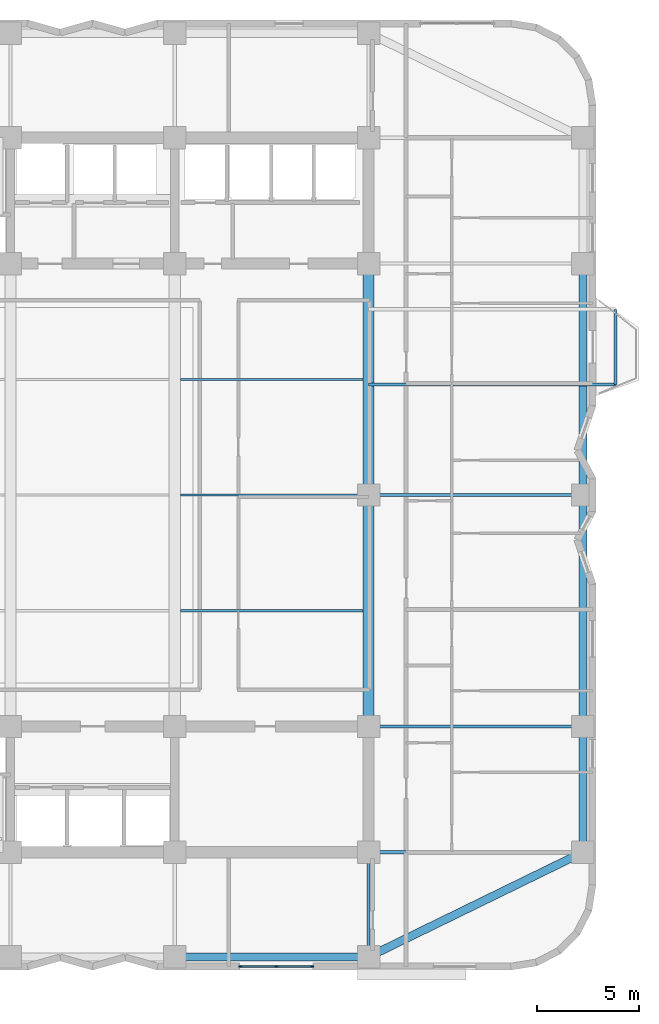
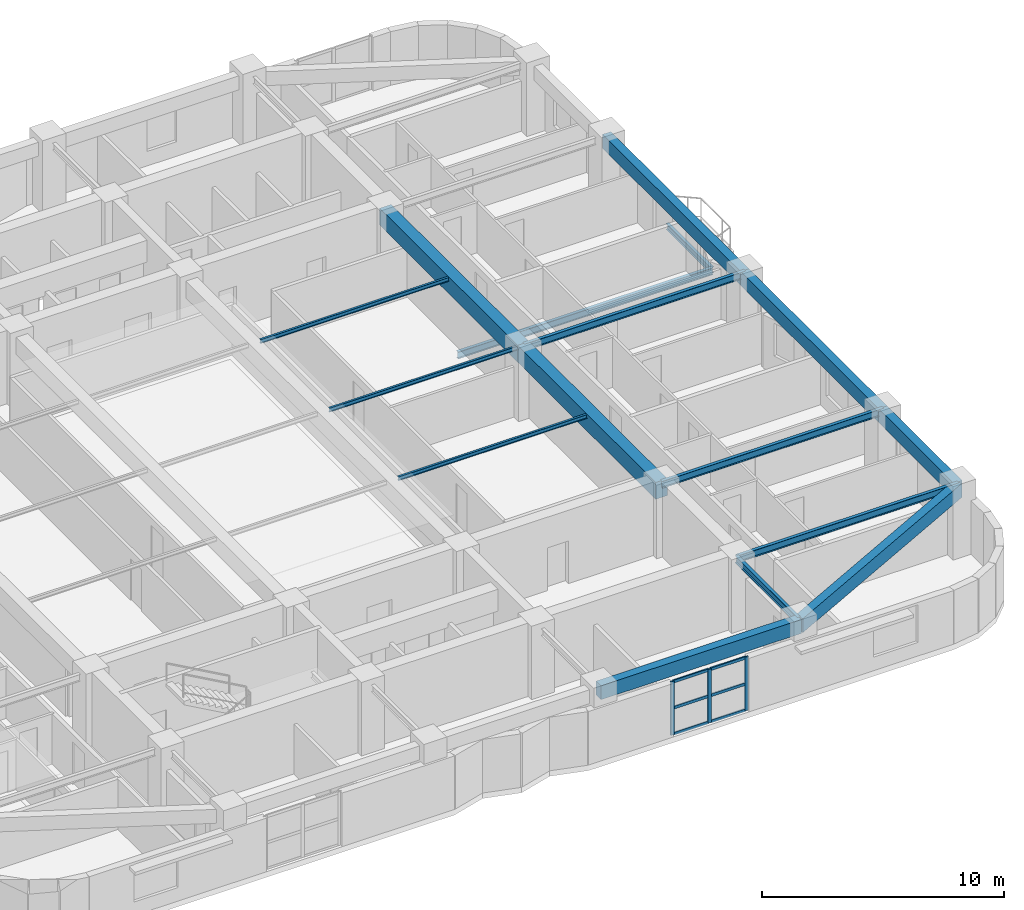
# One storey, part 4 of 15: 16 beams, 9 members, 1 element without a shape of its own.
"""IFC4 building model written with IfcOpenShell, lengths in metres."""

from ifc_helpers import new_model, si_unit, direction, frame, origin, origin_2d, place, context, subcontext, project, spatial, rectangle, i_section, extrude, material, material_profile, profile_set, type_object, element, aggregate, save


model = new_model("IFC4")

# Units and contexts
model_context = context("Model", 3, precision=1e-05, world=origin(), true_north=direction((0.0, 1.0)))
body_context = subcontext(model_context, "Body", "Model", "MODEL_VIEW")
ifc_project = project(units=[si_unit("LENGTHUNIT", "METRE"), si_unit("AREAUNIT", "SQUARE_METRE"), si_unit("VOLUMEUNIT", "CUBIC_METRE"), si_unit("PLANEANGLEUNIT", "RADIAN"), si_unit("MASSUNIT", "GRAM", prefix="KILO")], contexts=[model_context])

# Site, building, storey
site_placement = place(None, origin())
site = spatial("IfcSite", under=ifc_project, at=site_placement, CompositionType="ELEMENT")
building_placement = place(site_placement, origin())
building = spatial("IfcBuilding", under=site, at=building_placement, Name="Svetorya Sky Lyceum", CompositionType="ELEMENT")
storey_placement = place(building_placement, frame((0.0, 0.0, 117.89990234375)))
storey = spatial("IfcBuildingStorey", under=building, at=storey_placement, Name="L29", CompositionType="ELEMENT", Elevation=117.89990234375)

# Beams
ifc_material_1 = material(Name="Concrete C50/60", Category="concrete")
ifc_material_profile_1 = material_profile(ifc_material_1, rectangle(XDim=0.550048828125, YDim=0.85009765625, at=origin_2d()), Name="RC BEAM 550x850")
ifc_profile_set_1 = profile_set([ifc_material_profile_1], Name="Concrete C50/60")
beam_type_1 = type_object("IfcBeamType", Name="BM-RC-850", PredefinedType="BEAM", material=ifc_profile_set_1)
beam_1_placement = place(storey_placement, frame((52.800048828125, 16.800048828125, 2.9951171875), z_axis=(0.0, 1.0, 0.0), x_axis=(-1.0, 0.0, 0.0)))
element("IfcBeam", 1, at=beam_1_placement, inside=storey, type_object=beam_type_1, Name="L29 Central Bay Primary Girder CG-4A", PredefinedType="BEAM", context=body_context, shape_type="SweptSolid", body=[
    extrude(rectangle(XDim=0.550048828125, YDim=0.85009765625, at=origin_2d()), origin(), (0.0, 0.0, 1.0), 11.39990234375),
])
beam_2_placement = place(storey_placement, frame((52.800048828125, 28.199951171875, 2.9951171875), z_axis=(0.0, 1.0, 0.0), x_axis=(-1.0, 0.0, 0.0)))
element("IfcBeam", 2, at=beam_2_placement, inside=storey, type_object=beam_type_1, Name="L29 Central Bay Primary Girder CG-4B", PredefinedType="BEAM", context=body_context, shape_type="SweptSolid", body=[
    extrude(rectangle(XDim=0.550048828125, YDim=0.85009765625, at=origin_2d()), origin(), (0.0, 0.0, 1.0), 11.400146484375),
])
ifc_material_profile_2 = material_profile(ifc_material_1, rectangle(XDim=0.39990234375, YDim=0.699951171875, at=origin_2d()), Name="RC SPANDREL 400x700")
ifc_profile_set_2 = profile_set([ifc_material_profile_2], Name="Concrete C50/60")
beam_type_2 = type_object("IfcBeamType", Name="BM-SPN-700", PredefinedType="SPANDREL", material=ifc_profile_set_2)
beam_3_placement = place(storey_placement, frame((43.25, 5.449951171875, 3.070068359375), z_axis=(1.0, 0.0, 0.0), x_axis=(0.0, 1.0, 0.0)))
element("IfcBeam", 3, at=beam_3_placement, inside=storey, type_object=beam_type_2, Name="L29 South Spandrel 3", PredefinedType="SPANDREL", context=body_context, shape_type="SweptSolid", body=[
    extrude(rectangle(XDim=0.39990234375, YDim=0.699951171875, at=origin_2d()), origin(), (0.0, 0.0, 1.0), 9.550048828125),
])
beam_4_placement = place(storey_placement, frame((52.800048828125, 5.449951171875, 3.070068359375), z_axis=(0.898641495694, 0.438683783854, 0.0), x_axis=(-0.438683783854, 0.898641495694, 0.0)))
element("IfcBeam", 4, at=beam_4_placement, inside=storey, type_object=beam_type_2, Name="L29 Corner Spandrel 2", PredefinedType="SPANDREL", context=body_context, shape_type="SweptSolid", body=[
    extrude(rectangle(XDim=0.39990234375, YDim=0.699951171875, at=origin_2d()), origin(), (0.0, 0.0, 1.0), 11.739990234375),
])
beam_5_placement = place(storey_placement, frame((63.35009765625, 10.60009765625, 3.070068359375), z_axis=(0.0, 1.0, 0.0), x_axis=(-1.0, 0.0, 0.0)))
element("IfcBeam", 5, at=beam_5_placement, inside=storey, type_object=beam_type_2, Name="L29 East Spandrel 1", PredefinedType="SPANDREL", context=body_context, shape_type="SweptSolid", body=[
    extrude(rectangle(XDim=0.39990234375, YDim=0.699951171875, at=origin_2d()), origin(), (0.0, 0.0, 1.0), 6.199951171875),
])
beam_6_placement = place(storey_placement, frame((63.35009765625, 16.800048828125, 3.070068359375), z_axis=(0.0, 1.0, 0.0), x_axis=(-1.0, 0.0, 0.0)))
element("IfcBeam", 6, at=beam_6_placement, inside=storey, type_object=beam_type_2, Name="L29 East Spandrel 2", PredefinedType="SPANDREL", context=body_context, shape_type="SweptSolid", body=[
    extrude(rectangle(XDim=0.39990234375, YDim=0.699951171875, at=origin_2d()), origin(), (0.0, 0.0, 1.0), 11.39990234375),
])
beam_7_placement = place(storey_placement, frame((63.35009765625, 28.199951171875, 3.070068359375), z_axis=(0.0, 1.0, 0.0), x_axis=(-1.0, 0.0, 0.0)))
element("IfcBeam", 7, at=beam_7_placement, inside=storey, type_object=beam_type_2, Name="L29 East Spandrel 3", PredefinedType="SPANDREL", context=body_context, shape_type="SweptSolid", body=[
    extrude(rectangle(XDim=0.39990234375, YDim=0.699951171875, at=origin_2d()), origin(), (0.0, 0.0, 1.0), 11.400146484375),
])
ifc_material_2 = material(Name="Steel S355", Category="steel")
ifc_material_profile_3 = material_profile(ifc_material_2, i_section(OverallWidth=0.10009765625, OverallDepth=0.199951171875, WebThickness=0.005615234375, FlangeThickness=0.008544921875, at=origin_2d()), Name="GOST 20B1")
ifc_profile_set_3 = profile_set([ifc_material_profile_3], Name="Steel S355")
beam_type_3 = type_object("IfcBeamType", Name="BM-STL-20B1", PredefinedType="JOIST", material=ifc_profile_set_3)
for number, where, z_axis, x_axis, name in (
    (8, (43.52490234375, 22.5, 3.320068359375), (1.0, 0.0, 0.0), (0.0, 1.0, 0.0), "L29 Central Floor Joist CJ-1.3"),
    (9, (43.52490234375, 28.199951171875, 3.320068359375), (1.0, 0.0, 0.0), (0.0, 1.0, 0.0), "L29 Central Floor Joist CJ-2.3"),
    (10, (43.52490234375, 33.89990234375, 3.320068359375), (1.0, 0.0, 0.0), (0.0, 1.0, 0.0), "L29 Central Floor Joist CJ-3.3"),
):
    element("IfcBeam", number, at=place(storey_placement, frame(where, z_axis=z_axis, x_axis=x_axis)), inside=storey, type_object=beam_type_3, Name=name, PredefinedType="JOIST", context=body_context, shape_type="SweptSolid", body=[
        extrude(i_section(OverallWidth=0.10009765625, OverallDepth=0.199951171875, WebThickness=0.005615234375, FlangeThickness=0.008544921875, at=origin_2d()), origin(), (0.0, 0.0, 1.0), 9.0),
    ])
ifc_material_profile_4 = material_profile(ifc_material_2, i_section(OverallWidth=0.14990234375, OverallDepth=0.299072265625, WebThickness=0.006591796875, FlangeThickness=0.010498046875, at=origin_2d()), Name="GOST 30B2")
ifc_profile_set_4 = profile_set([ifc_material_profile_4], Name="Steel S355")
beam_type_4 = type_object("IfcBeamType", Name="BM-STL-30B2", PredefinedType="JOIST", material=ifc_profile_set_4)
beam_8_placement = place(storey_placement, frame((64.949951171875, 33.64990234375, -0.454345703125), z_axis=(0.0, 1.0, 0.0), x_axis=(-1.0, 0.0, 0.0)))
element("IfcBeam", 11, at=beam_8_placement, inside=storey, type_object=beam_type_4, Name="L29 Balcony Edge Tie BAL-E1", PredefinedType="JOIST", context=body_context, shape_type="SweptSolid", body=[
    extrude(i_section(OverallWidth=0.14990234375, OverallDepth=0.299072265625, WebThickness=0.006591796875, FlangeThickness=0.010498046875, at=origin_2d()), origin(), (0.0, 0.0, 1.0), 3.7001953125),
])
ifc_material_profile_5 = material_profile(ifc_material_2, i_section(OverallWidth=0.155029296875, OverallDepth=0.34912109375, WebThickness=0.007080078125, FlangeThickness=0.011474609375, at=origin_2d()), Name="GOST 35B2")
ifc_profile_set_5 = profile_set([ifc_material_profile_5], Name="Steel S355")
beam_type_5 = type_object("IfcBeamType", Name="BM-STL-35B2", PredefinedType="JOIST", material=ifc_profile_set_5)
beam_9_placement = place(storey_placement, frame((52.800048828125, 33.64990234375, -0.454345703125), z_axis=(1.0, 0.0, 0.0), x_axis=(0.0, 1.0, 0.0)))
element("IfcBeam", 12, at=beam_9_placement, inside=storey, type_object=beam_type_5, Name="L29 Balcony Cantilever Beam BAL-E1-1", PredefinedType="JOIST", context=body_context, shape_type="SweptSolid", body=[
    extrude(i_section(OverallWidth=0.155029296875, OverallDepth=0.34912109375, WebThickness=0.007080078125, FlangeThickness=0.011474609375, at=origin_2d()), origin(), (0.0, 0.0, 1.0), 12.14990234375),
])
for number, where, z_axis, x_axis, name in (
    (13, (52.800048828125, 10.60009765625, 3.24560546875), (1.0, 0.0, 0.0), (0.0, 1.0, 0.0), "L29 East Wing Floor Joist E1"),
    (14, (52.800048828125, 16.800048828125, 3.24560546875), (1.0, 0.0, 0.0), (0.0, 1.0, 0.0), "L29 East Wing Floor Joist E2"),
    (15, (52.800048828125, 28.199951171875, 3.24560546875), (1.0, 0.0, 0.0), (0.0, 1.0, 0.0), "L29 East Wing Floor Joist E3"),
):
    element("IfcBeam", number, at=place(storey_placement, frame(where, z_axis=z_axis, x_axis=x_axis)), inside=storey, type_object=beam_type_5, Name=name, PredefinedType="JOIST", context=body_context, shape_type="SweptSolid", body=[
        extrude(i_section(OverallWidth=0.155029296875, OverallDepth=0.34912109375, WebThickness=0.007080078125, FlangeThickness=0.011474609375, at=origin_2d()), origin(), (0.0, 0.0, 1.0), 10.550048828125),
    ])
beam_10_placement = place(storey_placement, frame((52.800048828125, 5.449951171875, 3.24560546875), z_axis=(0.0, 1.0, 0.0), x_axis=(-1.0, 0.0, 0.0)))
element("IfcBeam", 16, at=beam_10_placement, inside=storey, type_object=beam_type_5, Name="L29 South Bay Floor Girder S4", PredefinedType="JOIST", context=body_context, shape_type="SweptSolid", body=[
    extrude(i_section(OverallWidth=0.155029296875, OverallDepth=0.34912109375, WebThickness=0.007080078125, FlangeThickness=0.011474609375, at=origin_2d()), origin(), (0.0, 0.0, 1.0), 5.150146484375),
])

# Curtain wall, members
ifc_material_3 = material(Name="Thermally broken anodized aluminium and triple low-E glass", Category="aluminium")
curtain_wall_type = type_object("IfcCurtainWallType", Name="CW3-LOG-RES", PredefinedType="NOTDEFINED", material=ifc_material_3)
curtain_wall_placement = place(storey_placement, origin())
curtain_wall = element("IfcCurtainWall", 17, at=curtain_wall_placement, inside=storey, type_object=curtain_wall_type, Name="L29 Recessed Loggia Curtain Wall 11", PredefinedType="NOTDEFINED")
ifc_material_4 = material(Name="Thermally broken anodized aluminium EN AW-6060", Category="aluminium")
ifc_material_profile_6 = material_profile(ifc_material_4, rectangle(XDim=0.06494140625, YDim=0.179931640625, at=origin_2d()), Name="ALU MULLION 65x180")
ifc_profile_set_6 = profile_set([ifc_material_profile_6], Name="Thermally broken anodized aluminium EN AW-6060")
member_type_1 = type_object("IfcMemberType", Name="CWM-MUL-180", PredefinedType="MULLION", material=ifc_profile_set_6)
member_1_placement = place(storey_placement, frame((46.482421875, 4.969970703125, 0.0), z_axis=(0.0, 0.0, 1.0), x_axis=(0.0, 1.0, 0.0)))
member_1 = element("IfcMember", 18, at=member_1_placement, type_object=member_type_1, Name="CW-3 mullion 1", PredefinedType="MULLION", context=body_context, shape_type="SweptSolid", body=[
    extrude(rectangle(XDim=0.06494140625, YDim=0.179931640625, at=origin_2d()), origin(), (0.0, 0.0, 1.0), 2.7001953125),
])
member_2_placement = place(storey_placement, frame((48.25, 4.969970703125, 0.0), z_axis=(0.0, 0.0, 1.0), x_axis=(0.0, 1.0, 0.0)))
member_2 = element("IfcMember", 19, at=member_2_placement, type_object=member_type_1, Name="CW-3 mullion 2", PredefinedType="MULLION", context=body_context, shape_type="SweptSolid", body=[
    extrude(rectangle(XDim=0.06494140625, YDim=0.179931640625, at=origin_2d()), origin(), (0.0, 0.0, 1.0), 2.7001953125),
])
member_3_placement = place(storey_placement, frame((50.017578125, 4.969970703125, 0.0), z_axis=(0.0, 0.0, 1.0), x_axis=(0.0, 1.0, 0.0)))
member_3 = element("IfcMember", 20, at=member_3_placement, type_object=member_type_1, Name="CW-3 mullion 3", PredefinedType="MULLION", context=body_context, shape_type="SweptSolid", body=[
    extrude(rectangle(XDim=0.06494140625, YDim=0.179931640625, at=origin_2d()), origin(), (0.0, 0.0, 1.0), 2.7001953125),
])
ifc_material_profile_7 = material_profile(ifc_material_4, rectangle(XDim=0.06494140625, YDim=0.139892578125, at=origin_2d()), Name="ALU TRANSOM 65x140")
ifc_profile_set_7 = profile_set([ifc_material_profile_7], Name="Thermally broken anodized aluminium EN AW-6060")
member_type_2 = type_object("IfcMemberType", Name="CWM-TRN-140", PredefinedType="USERDEFINED", material=ifc_profile_set_7)
member_4_placement = place(storey_placement, frame((46.513427734375, 4.969970703125, 0.03271484375), z_axis=(1.0, 0.0, 0.0), x_axis=(0.0, 1.0, 0.0)))
member_4 = element("IfcMember", 21, at=member_4_placement, type_object=member_type_2, Name="CW-3 transom 1.1", ObjectType="TRANSOM", PredefinedType="USERDEFINED", context=body_context, shape_type="SweptSolid", body=[
    extrude(rectangle(XDim=0.06494140625, YDim=0.139892578125, at=origin_2d()), origin(), (0.0, 0.0, 1.0), 1.70556640625),
])
member_5_placement = place(storey_placement, frame((46.513427734375, 4.969970703125, 1.35009765625), z_axis=(1.0, 0.0, 0.0), x_axis=(0.0, 1.0, 0.0)))
member_5 = element("IfcMember", 22, at=member_5_placement, type_object=member_type_2, Name="CW-3 transom 1.2", ObjectType="TRANSOM", PredefinedType="USERDEFINED", context=body_context, shape_type="SweptSolid", body=[
    extrude(rectangle(XDim=0.06494140625, YDim=0.139892578125, at=origin_2d()), origin(), (0.0, 0.0, 1.0), 1.70556640625),
])
member_6_placement = place(storey_placement, frame((46.513427734375, 4.969970703125, 2.66748046875), z_axis=(1.0, 0.0, 0.0), x_axis=(0.0, 1.0, 0.0)))
member_6 = element("IfcMember", 23, at=member_6_placement, type_object=member_type_2, Name="CW-3 transom 1.3", ObjectType="TRANSOM", PredefinedType="USERDEFINED", context=body_context, shape_type="SweptSolid", body=[
    extrude(rectangle(XDim=0.06494140625, YDim=0.139892578125, at=origin_2d()), origin(), (0.0, 0.0, 1.0), 1.70556640625),
])
member_7_placement = place(storey_placement, frame((48.281005859375, 4.969970703125, 0.03271484375), z_axis=(1.0, 0.0, 0.0), x_axis=(0.0, 1.0, 0.0)))
member_7 = element("IfcMember", 24, at=member_7_placement, type_object=member_type_2, Name="CW-3 transom 2.1", ObjectType="TRANSOM", PredefinedType="USERDEFINED", context=body_context, shape_type="SweptSolid", body=[
    extrude(rectangle(XDim=0.06494140625, YDim=0.139892578125, at=origin_2d()), origin(), (0.0, 0.0, 1.0), 1.70556640625),
])
member_8_placement = place(storey_placement, frame((48.281005859375, 4.969970703125, 1.35009765625), z_axis=(1.0, 0.0, 0.0), x_axis=(0.0, 1.0, 0.0)))
member_8 = element("IfcMember", 25, at=member_8_placement, type_object=member_type_2, Name="CW-3 transom 2.2", ObjectType="TRANSOM", PredefinedType="USERDEFINED", context=body_context, shape_type="SweptSolid", body=[
    extrude(rectangle(XDim=0.06494140625, YDim=0.139892578125, at=origin_2d()), origin(), (0.0, 0.0, 1.0), 1.70556640625),
])
member_9_placement = place(storey_placement, frame((48.281005859375, 4.969970703125, 2.66748046875), z_axis=(1.0, 0.0, 0.0), x_axis=(0.0, 1.0, 0.0)))
member_9 = element("IfcMember", 26, at=member_9_placement, type_object=member_type_2, Name="CW-3 transom 2.3", ObjectType="TRANSOM", PredefinedType="USERDEFINED", context=body_context, shape_type="SweptSolid", body=[
    extrude(rectangle(XDim=0.06494140625, YDim=0.139892578125, at=origin_2d()), origin(), (0.0, 0.0, 1.0), 1.70556640625),
])
aggregate(curtain_wall, [member_1, member_2, member_3, member_4, member_5, member_6, member_7, member_8, member_9])

save(model, "model.ifc")
